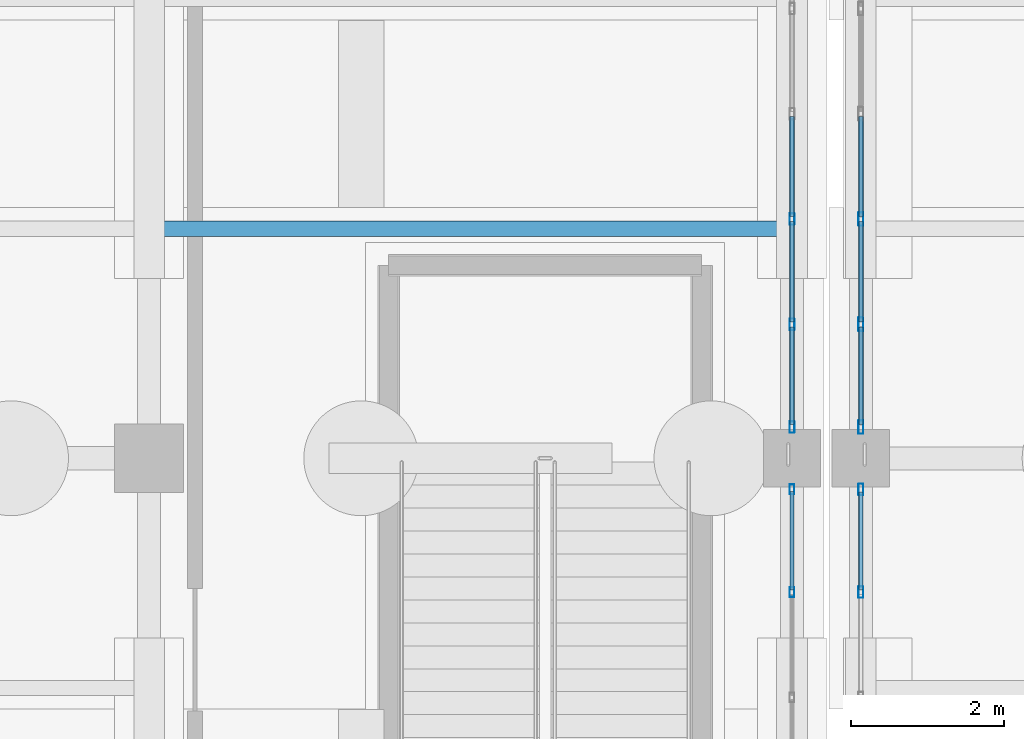
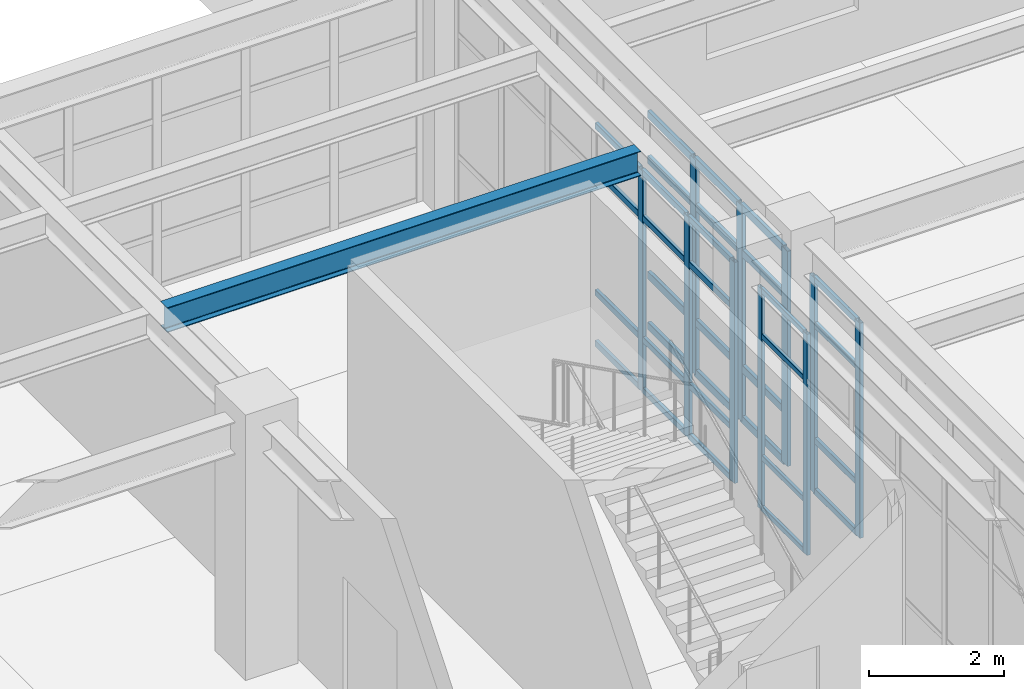
# One storey, part 79 of 139: 42 members, 1 beam, 4 elements without a shape of their own.
"""IFC4 building model written with IfcOpenShell, lengths in metres."""

import ifcopenshell
import ifcopenshell.guid

model = None  # the IFC model being written
_history = None  # IfcOwnerHistory: only IFC2X3 demands one
_inside = {}  # id of a spatial element -> (the spatial element, [elements in it])
_under = {}  # id of a project, library or spatial element -> (it, [spatial elements below it])
_declared = {}  # id of a project -> (the project, [libraries it declares])
_typed = {}  # id of a type object -> (the type object, [elements of that type])
_made_of = {}  # id of a material, layer set ... -> (it, [elements and type objects made of it])


def new_model(schema):
    """Start an empty IFC model of exactly this schema.

    Asked for "IFC4X3", IfcOpenShell would pick the latest addendum, in which some entities
    have other attributes; the version numbers below select the first issue.
    IFC2X3 requires an IfcOwnerHistory on every rooted entity: one is made here for all.
    """
    global model, _history
    if schema == "IFC4X3":
        model = ifcopenshell.file(schema_version=(4, 3, 0, 0))
    else:
        model = ifcopenshell.file(schema=schema)
    _inside.clear()
    _under.clear()
    _declared.clear()
    _typed.clear()
    _made_of.clear()
    _history = None
    if model.schema == "IFC2X3":
        org = make("IfcOrganization", Name="unknown")
        user = make(
            "IfcPersonAndOrganization",
            ThePerson=make("IfcPerson", FamilyName="unknown"),
            TheOrganization=org,
        )
        app = make(
            "IfcApplication",
            ApplicationDeveloper=org,
            Version="unknown",
            ApplicationFullName="unknown",
            ApplicationIdentifier="unknown",
        )
        _history = make(
            "IfcOwnerHistory",
            OwningUser=user,
            OwningApplication=app,
            ChangeAction="ADDED",
            CreationDate=0,
        )
    return model


def make(cls, **values):
    """One entity of the class cls with the attributes given. An attribute that is None is left unset."""
    return model.create_entity(
        cls, **{name: value for name, value in values.items() if value is not None}
    )


def rooted(cls, **values):
    """An entity with a GlobalId (a new one), such as an element, a storey or a relation."""
    return make(cls, GlobalId=ifcopenshell.guid.new(), OwnerHistory=_history, **values)


def si_unit(unit_type, name, prefix=None):
    """IfcSIUnit, for example si_unit("LENGTHUNIT", "METRE", prefix="MILLI")."""
    return make("IfcSIUnit", UnitType=unit_type, Prefix=prefix, Name=name)


def assignment(units):
    """IfcUnitAssignment: the units of a project."""
    return None if units is None else make("IfcUnitAssignment", Units=units)


def point(xyz):
    """IfcCartesianPoint."""
    return None if xyz is None else make("IfcCartesianPoint", Coordinates=xyz)


def direction(xyz):
    """IfcDirection."""
    return None if xyz is None else make("IfcDirection", DirectionRatios=xyz)


def frame(location, z_axis=None, x_axis=None):
    """IfcAxis2Placement3D, a coordinate frame: its origin and axes. An axis left out is left unset."""
    return make(
        "IfcAxis2Placement3D",
        Location=point(location),
        Axis=direction(z_axis),
        RefDirection=direction(x_axis),
    )


def frame_2d(location, x_axis=None):
    """IfcAxis2Placement2D, a coordinate frame in the plane: its origin and x axis."""
    return make(
        "IfcAxis2Placement2D", Location=point(location), RefDirection=direction(x_axis)
    )


def origin():
    """The frame at (0, 0, 0) with its axes left unset."""
    return frame((0.0, 0.0, 0.0))


def origin_2d():
    """The frame at (0, 0) in the plane with its x axis left unset."""
    return frame_2d((0.0, 0.0))


def place(relative_to, where):
    """IfcLocalPlacement: puts the frame where relative to a parent placement (None: the world)."""
    return make(
        "IfcLocalPlacement", PlacementRelTo=relative_to, RelativePlacement=where
    )


def context(
    kind, dimensions, precision=None, world=None, true_north=None, identifier=None
):
    """IfcGeometricRepresentationContext, for example the 3D "Model" context."""
    return make(
        "IfcGeometricRepresentationContext",
        ContextIdentifier=identifier,
        ContextType=kind,
        CoordinateSpaceDimension=dimensions,
        Precision=precision,
        WorldCoordinateSystem=world,
        TrueNorth=true_north,
    )


def subcontext(parent, identifier, kind, view, scale=None):
    """IfcGeometricRepresentationSubContext, for example "Body" below "Model"."""
    return make(
        "IfcGeometricRepresentationSubContext",
        ContextIdentifier=identifier,
        ContextType=kind,
        ParentContext=parent,
        TargetScale=scale,
        TargetView=view,
    )


def project(units=None, contexts=None):
    """IfcProject with its units and contexts."""
    return rooted(
        "IfcProject",
        Name="project",
        RepresentationContexts=contexts,
        UnitsInContext=assignment(units),
    )


def spatial(cls, under=None, at=None, **own):
    """A site, building, storey or space (cls), placed at a placement, below another one or the project."""
    s = rooted(cls, ObjectPlacement=at, **own)
    if under is not None:
        _under.setdefault(under.id(), (under, []))[1].append(s)
    return s


def profile(cls, at=None, kind="AREA", **sizes):
    """A parametric profile (cls). Its sizes go by their IFC names, for example OverallWidth=200.0."""
    return make(cls, ProfileType=kind, Position=at, **sizes)


def hollow_rectangle(**sizes):
    """IfcRectangleHollowProfileDef."""
    return profile("IfcRectangleHollowProfileDef", **sizes)


def i_section(**sizes):
    """IfcIShapeProfileDef."""
    return profile("IfcIShapeProfileDef", **sizes)


def extrude(swept, where, along, depth):
    """IfcExtrudedAreaSolid: the profile swept, set in the frame where, extruded along a direction by depth."""
    return make(
        "IfcExtrudedAreaSolid",
        SweptArea=swept,
        Position=where,
        ExtrudedDirection=direction(along),
        Depth=depth,
    )


def shape(context_of_items, identifier, shape_type, items):
    """IfcShapeRepresentation: the items that make up one representation, for example the "Body"."""
    return make(
        "IfcShapeRepresentation",
        ContextOfItems=context_of_items,
        RepresentationIdentifier=identifier,
        RepresentationType=shape_type,
        Items=items,
    )


def material(Name=None, Category=None):
    """IfcMaterial."""
    return make("IfcMaterial", Name=Name, Category=Category)


def material_profile(
    of_material, cross_section, Name=None, Category=None, Priority=None
):
    """IfcMaterialProfile: a cross section and its material."""
    return make(
        "IfcMaterialProfile",
        Name=Name,
        Material=of_material,
        Profile=cross_section,
        Priority=Priority,
        Category=Category,
    )


def profile_set(profiles, Name=None, composite=None):
    """IfcMaterialProfileSet."""
    return make(
        "IfcMaterialProfileSet",
        Name=Name,
        MaterialProfiles=profiles,
        CompositeProfile=composite,
    )


def made_of(thing, what):
    """Note that an element or type object is made of a material, layer set ...; save() writes the relation."""
    if what is not None:
        _made_of.setdefault(what.id(), (what, []))[1].append(thing)
    return thing


def type_object(cls, material=None, **own):
    """A type object (cls), such as IfcWallType, which elements share."""
    return made_of(rooted(cls, **own), material)


def element(
    cls,
    number,
    at=None,
    inside=None,
    cuts=None,
    type_object=None,
    material=None,
    context=None,
    identifier="Body",
    shape_type=None,
    held_by="IfcProductDefinitionShape",
    body=None,
    shapes=None,
    **own,
):
    """One element of the class cls, such as IfcWall. Its Tag is "e" and its number.

    at: its placement. inside: the storey or other place that contains it. cuts: it is an
    opening in that element (IfcRelVoidsElement). A single representation is given by context,
    identifier, shape_type and body (its items); several are given by shapes. held_by: the class
    of the entity that holds the representations. save() writes the other relations.
    """
    e = rooted(cls, Tag="e%d" % number, ObjectPlacement=at, **own)
    if body is not None:
        shapes = [shape(context, identifier, shape_type, body)]
    if shapes is not None:
        e.Representation = make(held_by, Representations=shapes)
    if inside is not None:
        _inside.setdefault(inside.id(), (inside, []))[1].append(e)
    if cuts is not None:
        rooted(
            "IfcRelVoidsElement", RelatingBuildingElement=cuts, RelatedOpeningElement=e
        )
    if type_object is not None:
        _typed.setdefault(type_object.id(), (type_object, []))[1].append(e)
    return made_of(e, material)


def aggregate(whole, parts):
    """IfcRelAggregates: a whole, such as a stair, and the parts it consists of."""
    return rooted("IfcRelAggregates", RelatingObject=whole, RelatedObjects=parts)


def save(model, path):
    """Write the relations noted so far, then the file.

    IfcRelAggregates (storeys below a building ...), IfcRelContainedInSpatialStructure (elements
    in a storey), IfcRelDefinesByType, IfcRelAssociatesMaterial and IfcRelDeclares: one each for
    every whole, place, type object, material and project.
    """
    for whole, parts in _under.values():
        aggregate(whole, parts)
    for where, things in _inside.values():
        rooted(
            "IfcRelContainedInSpatialStructure",
            RelatedElements=things,
            RelatingStructure=where,
        )
    for kind, things in _typed.values():
        rooted("IfcRelDefinesByType", RelatedObjects=things, RelatingType=kind)
    for what, things in _made_of.values():
        rooted("IfcRelAssociatesMaterial", RelatedObjects=things, RelatingMaterial=what)
    for by, libraries in _declared.values():
        rooted("IfcRelDeclares", RelatingContext=by, RelatedDefinitions=libraries)
    model.write(path)


model = new_model("IFC4")

# Units and contexts
model_context = context("Model", 3, precision=1e-05, world=origin(), true_north=direction((0.0, 1.0)))
body_context = subcontext(model_context, "Body", "Model", "MODEL_VIEW")
ifc_project = project(units=[si_unit("LENGTHUNIT", "METRE"), si_unit("AREAUNIT", "SQUARE_METRE"), si_unit("VOLUMEUNIT", "CUBIC_METRE"), si_unit("PLANEANGLEUNIT", "RADIAN"), si_unit("MASSUNIT", "GRAM", prefix="KILO")], contexts=[model_context])

# Site, building, storey
site_placement = place(None, origin())
site = spatial("IfcSite", under=ifc_project, at=site_placement, CompositionType="ELEMENT")
building_placement = place(site_placement, origin())
building = spatial("IfcBuilding", under=site, at=building_placement, Name="Canglan Escarpment Cableway Terminal", CompositionType="ELEMENT")
storey_placement = place(building_placement, frame((0.0, 0.0, 14.39990234375)))
storey = spatial("IfcBuildingStorey", under=building, at=storey_placement, Name="L03", CompositionType="ELEMENT", Elevation=14.39990234375)

# Curtain wall, members
ifc_material_1 = material(Name="Anodized bronze aluminium and Low-E double glazing", Category="aluminium")
curtain_wall_type_1 = type_object("IfcCurtainWallType", Name="CW-BAY-8250x4000", PredefinedType="NOTDEFINED", material=ifc_material_1)
curtain_wall_1_placement = place(storey_placement, origin())
curtain_wall_1 = element("IfcCurtainWall", 1, at=curtain_wall_1_placement, inside=storey, type_object=curtain_wall_type_1, Name="Classical bay-between-piers glazed curtain wall CW-48", PredefinedType="NOTDEFINED")
ifc_material_2 = material(Name="Thermally broken anodized aluminium 6063-T6", Category="aluminium")
ifc_material_profile_1 = material_profile(ifc_material_2, hollow_rectangle(XDim=0.06005859375, YDim=0.1298828125, WallThickness=0.0029296875, InnerFilletRadius=0.0029296875, OuterFilletRadius=0.006103515625, at=origin_2d()), Name="ALU-MULL 60x130x3")
ifc_profile_set_1 = profile_set([ifc_material_profile_1], Name="Thermally broken anodized aluminium 6063-T6")
member_type_1 = type_object("IfcMemberType", Name="CWM-01", PredefinedType="MULLION", material=ifc_profile_set_1)
member_1_placement = place(storey_placement, frame((136.699951171875, 104.25, 0.0), z_axis=(0.0, 0.0, 1.0), x_axis=(-1.0, 0.0, 0.0)))
member_1 = element("IfcMember", 2, at=member_1_placement, type_object=member_type_1, Name="CW-48 mullion 6", PredefinedType="MULLION", context=body_context, shape_type="SweptSolid", body=[
    extrude(hollow_rectangle(XDim=0.06005859375, YDim=0.1298828125, WallThickness=0.0029296875, InnerFilletRadius=0.0029296875, OuterFilletRadius=0.006103515625, at=origin_2d()), origin(), (0.0, 0.0, 1.0), 3.9970703125),
])
member_2_placement = place(storey_placement, frame((136.699951171875, 105.594970703125, 0.0), z_axis=(0.0, 0.0, 1.0), x_axis=(-1.0, 0.0, 0.0)))
member_2 = element("IfcMember", 3, at=member_2_placement, type_object=member_type_1, Name="CW-48 mullion 7", PredefinedType="MULLION", context=body_context, shape_type="SweptSolid", body=[
    extrude(hollow_rectangle(XDim=0.06005859375, YDim=0.1298828125, WallThickness=0.0029296875, InnerFilletRadius=0.0029296875, OuterFilletRadius=0.006103515625, at=origin_2d()), origin(), (0.0, 0.0, 1.0), 3.9970703125),
])

curtain_wall_2_placement = place(storey_placement, origin())
curtain_wall_2 = element("IfcCurtainWall", 4, at=curtain_wall_2_placement, inside=storey, type_object=curtain_wall_type_1, Name="Classical bay-between-piers glazed curtain wall CW-48", PredefinedType="NOTDEFINED")
ifc_material_profile_2 = material_profile(ifc_material_2, hollow_rectangle(XDim=0.06494140625, YDim=0.14990234375, WallThickness=0.00341796875, InnerFilletRadius=0.00341796875, OuterFilletRadius=0.007080078125, at=origin_2d()), Name="ALU-MULL 65x150x3.5")
ifc_profile_set_2 = profile_set([ifc_material_profile_2], Name="Thermally broken anodized aluminium 6063-T6")
member_type_2 = type_object("IfcMemberType", Name="CWM-02", PredefinedType="MULLION", material=ifc_profile_set_2)
member_3_placement = place(storey_placement, frame((136.699951171875, 106.407470703125, 0.0), z_axis=(0.0, 0.0, 1.0), x_axis=(-1.0, 0.0, 0.0)))
member_3 = element("IfcMember", 5, at=member_3_placement, type_object=member_type_2, Name="CW-48 mullion 1", PredefinedType="MULLION", context=body_context, shape_type="SweptSolid", body=[
    extrude(hollow_rectangle(XDim=0.06494140625, YDim=0.14990234375, WallThickness=0.00341796875, InnerFilletRadius=0.00341796875, OuterFilletRadius=0.007080078125, at=origin_2d()), origin(), (0.0, 0.0, 1.0), 3.9970703125),
])
member_4_placement = place(storey_placement, frame((136.699951171875, 107.75, 0.0), z_axis=(0.0, 0.0, 1.0), x_axis=(-1.0, 0.0, 0.0)))
member_4 = element("IfcMember", 6, at=member_4_placement, type_object=member_type_2, Name="CW-48 mullion 2", PredefinedType="MULLION", context=body_context, shape_type="SweptSolid", body=[
    extrude(hollow_rectangle(XDim=0.06494140625, YDim=0.14990234375, WallThickness=0.00341796875, InnerFilletRadius=0.00341796875, OuterFilletRadius=0.007080078125, at=origin_2d()), origin(), (0.0, 0.0, 1.0), 3.9970703125),
])
member_5_placement = place(storey_placement, frame((136.699951171875, 109.125, 0.0), z_axis=(0.0, 0.0, 1.0), x_axis=(-1.0, 0.0, 0.0)))
member_5 = element("IfcMember", 7, at=member_5_placement, type_object=member_type_2, Name="CW-48 mullion 3", PredefinedType="MULLION", context=body_context, shape_type="SweptSolid", body=[
    extrude(hollow_rectangle(XDim=0.06494140625, YDim=0.14990234375, WallThickness=0.00341796875, InnerFilletRadius=0.00341796875, OuterFilletRadius=0.007080078125, at=origin_2d()), origin(), (0.0, 0.0, 1.0), 3.9970703125),
])

curtain_wall_type_2 = type_object("IfcCurtainWallType", Name="CW-BAY-8250x3900", PredefinedType="NOTDEFINED", material=ifc_material_1)
curtain_wall_3_placement = place(storey_placement, origin())
curtain_wall_3 = element("IfcCurtainWall", 8, at=curtain_wall_3_placement, inside=storey, type_object=curtain_wall_type_2, Name="Classical bay-between-piers glazed curtain wall CW-62", PredefinedType="NOTDEFINED")
member_6_placement = place(storey_placement, frame((137.60009765625, 105.592529296875, 0.0), z_axis=(0.0, 0.0, 1.0), x_axis=(1.0, 0.0, 0.0)))
member_6 = element("IfcMember", 9, at=member_6_placement, type_object=member_type_2, Name="CW-62 mullion 1", PredefinedType="MULLION", context=body_context, shape_type="SweptSolid", body=[
    extrude(hollow_rectangle(XDim=0.06494140625, YDim=0.14990234375, WallThickness=0.00341796875, InnerFilletRadius=0.00341796875, OuterFilletRadius=0.007080078125, at=origin_2d()), origin(), (0.0, 0.0, 1.0), 3.89111328125),
])
member_7_placement = place(storey_placement, frame((137.60009765625, 104.25, 0.0), z_axis=(0.0, 0.0, 1.0), x_axis=(1.0, 0.0, 0.0)))
member_7 = element("IfcMember", 10, at=member_7_placement, type_object=member_type_2, Name="CW-62 mullion 2", PredefinedType="MULLION", context=body_context, shape_type="SweptSolid", body=[
    extrude(hollow_rectangle(XDim=0.06494140625, YDim=0.14990234375, WallThickness=0.00341796875, InnerFilletRadius=0.00341796875, OuterFilletRadius=0.007080078125, at=origin_2d()), origin(), (0.0, 0.0, 1.0), 3.89111328125),
])

curtain_wall_4_placement = place(storey_placement, origin())
curtain_wall_4 = element("IfcCurtainWall", 11, at=curtain_wall_4_placement, inside=storey, type_object=curtain_wall_type_2, Name="Classical bay-between-piers glazed curtain wall CW-62", PredefinedType="NOTDEFINED")
ifc_material_profile_3 = material_profile(ifc_material_2, hollow_rectangle(XDim=0.06494140625, YDim=0.179931640625, WallThickness=0.00390625, InnerFilletRadius=0.00390625, OuterFilletRadius=0.008056640625, at=origin_2d()), Name="ALU-MULL 65x180x4")
ifc_profile_set_3 = profile_set([ifc_material_profile_3], Name="Thermally broken anodized aluminium 6063-T6")
member_type_3 = type_object("IfcMemberType", Name="CWM-03", PredefinedType="MULLION", material=ifc_profile_set_3)
member_8_placement = place(storey_placement, frame((137.60009765625, 109.125, 0.0), z_axis=(0.0, 0.0, 1.0), x_axis=(1.0, 0.0, 0.0)))
member_8 = element("IfcMember", 12, at=member_8_placement, type_object=member_type_3, Name="CW-62 mullion 5", PredefinedType="MULLION", context=body_context, shape_type="SweptSolid", body=[
    extrude(hollow_rectangle(XDim=0.06494140625, YDim=0.179931640625, WallThickness=0.00390625, InnerFilletRadius=0.00390625, OuterFilletRadius=0.008056640625, at=origin_2d()), origin(), (0.0, 0.0, 1.0), 3.89111328125),
])
member_9_placement = place(storey_placement, frame((137.60009765625, 107.75, 0.0), z_axis=(0.0, 0.0, 1.0), x_axis=(1.0, 0.0, 0.0)))
member_9 = element("IfcMember", 13, at=member_9_placement, type_object=member_type_3, Name="CW-62 mullion 6", PredefinedType="MULLION", context=body_context, shape_type="SweptSolid", body=[
    extrude(hollow_rectangle(XDim=0.06494140625, YDim=0.179931640625, WallThickness=0.00390625, InnerFilletRadius=0.00390625, OuterFilletRadius=0.008056640625, at=origin_2d()), origin(), (0.0, 0.0, 1.0), 3.89111328125),
])
member_10_placement = place(storey_placement, frame((137.60009765625, 106.407470703125, 0.0), z_axis=(0.0, 0.0, 1.0), x_axis=(1.0, 0.0, 0.0)))
member_10 = element("IfcMember", 14, at=member_10_placement, type_object=member_type_3, Name="CW-62 mullion 7", PredefinedType="MULLION", context=body_context, shape_type="SweptSolid", body=[
    extrude(hollow_rectangle(XDim=0.06494140625, YDim=0.179931640625, WallThickness=0.00390625, InnerFilletRadius=0.00390625, OuterFilletRadius=0.008056640625, at=origin_2d()), origin(), (0.0, 0.0, 1.0), 3.89111328125),
])

# Member
ifc_material_profile_4 = material_profile(ifc_material_2, hollow_rectangle(XDim=0.054931640625, YDim=0.094970703125, WallThickness=0.0029296875, InnerFilletRadius=0.0029296875, OuterFilletRadius=0.006103515625, at=origin_2d()), Name="ALU-TRAN 55x95x3")
ifc_profile_set_4 = profile_set([ifc_material_profile_4], Name="Thermally broken anodized aluminium 6063-T6")
member_type_4 = type_object("IfcMemberType", Name="CWT-01", PredefinedType="USERDEFINED", material=ifc_profile_set_4)
member_11_placement = place(storey_placement, frame((136.699951171875, 104.280029296875, 0.027587890625), z_axis=(0.0, 1.0, 0.0), x_axis=(-1.0, 0.0, 0.0)))
member_11 = element("IfcMember", 15, at=member_11_placement, type_object=member_type_4, Name="CW-48 transom 6.1", ObjectType="TRANSOM", PredefinedType="USERDEFINED", context=body_context, shape_type="SweptSolid", body=[
    extrude(hollow_rectangle(XDim=0.054931640625, YDim=0.094970703125, WallThickness=0.0029296875, InnerFilletRadius=0.0029296875, OuterFilletRadius=0.006103515625, at=origin_2d()), origin(), (0.0, 0.0, 1.0), 1.284912109375),
])

member_12_placement = place(storey_placement, frame((136.699951171875, 104.280029296875, 0.9501953125), z_axis=(0.0, 1.0, 0.0), x_axis=(-1.0, 0.0, 0.0)))
member_12 = element("IfcMember", 16, at=member_12_placement, type_object=member_type_4, Name="CW-48 transom 6.2", ObjectType="TRANSOM", PredefinedType="USERDEFINED", context=body_context, shape_type="SweptSolid", body=[
    extrude(hollow_rectangle(XDim=0.054931640625, YDim=0.094970703125, WallThickness=0.0029296875, InnerFilletRadius=0.0029296875, OuterFilletRadius=0.006103515625, at=origin_2d()), origin(), (0.0, 0.0, 1.0), 1.284912109375),
])

member_13_placement = place(storey_placement, frame((136.699951171875, 104.280029296875, 3.147216796875), z_axis=(0.0, 1.0, 0.0), x_axis=(-1.0, 0.0, 0.0)))
member_13 = element("IfcMember", 17, at=member_13_placement, type_object=member_type_4, Name="CW-48 transom 6.3", ObjectType="TRANSOM", PredefinedType="USERDEFINED", context=body_context, shape_type="SweptSolid", body=[
    extrude(hollow_rectangle(XDim=0.054931640625, YDim=0.094970703125, WallThickness=0.0029296875, InnerFilletRadius=0.0029296875, OuterFilletRadius=0.006103515625, at=origin_2d()), origin(), (0.0, 0.0, 1.0), 1.284912109375),
])

member_14_placement = place(storey_placement, frame((136.699951171875, 104.280029296875, 3.969482421875), z_axis=(0.0, 1.0, 0.0), x_axis=(-1.0, 0.0, 0.0)))
member_14 = element("IfcMember", 18, at=member_14_placement, type_object=member_type_4, Name="CW-48 transom 6.4", ObjectType="TRANSOM", PredefinedType="USERDEFINED", context=body_context, shape_type="SweptSolid", body=[
    extrude(hollow_rectangle(XDim=0.054931640625, YDim=0.094970703125, WallThickness=0.0029296875, InnerFilletRadius=0.0029296875, OuterFilletRadius=0.006103515625, at=origin_2d()), origin(), (0.0, 0.0, 1.0), 1.284912109375),
])

aggregate(curtain_wall_1, [member_1, member_2, member_11, member_12, member_13, member_14])

ifc_material_profile_5 = material_profile(ifc_material_2, hollow_rectangle(XDim=0.06005859375, YDim=0.110107421875, WallThickness=0.0029296875, InnerFilletRadius=0.0029296875, OuterFilletRadius=0.006103515625, at=origin_2d()), Name="ALU-TRAN 60x110x3")
ifc_profile_set_5 = profile_set([ifc_material_profile_5], Name="Thermally broken anodized aluminium 6063-T6")
member_type_5 = type_object("IfcMemberType", Name="CWT-02", PredefinedType="USERDEFINED", material=ifc_profile_set_5)
member_15_placement = place(storey_placement, frame((136.699951171875, 106.43994140625, 0.030029296875), z_axis=(0.0, 1.0, 0.0), x_axis=(-1.0, 0.0, 0.0)))
member_15 = element("IfcMember", 19, at=member_15_placement, type_object=member_type_5, Name="CW-48 transom 1.1", ObjectType="TRANSOM", PredefinedType="USERDEFINED", context=body_context, shape_type="SweptSolid", body=[
    extrude(hollow_rectangle(XDim=0.06005859375, YDim=0.110107421875, WallThickness=0.0029296875, InnerFilletRadius=0.0029296875, OuterFilletRadius=0.006103515625, at=origin_2d()), origin(), (0.0, 0.0, 1.0), 1.277587890625),
])

member_16_placement = place(storey_placement, frame((136.699951171875, 106.43994140625, 0.9501953125), z_axis=(0.0, 1.0, 0.0), x_axis=(-1.0, 0.0, 0.0)))
member_16 = element("IfcMember", 20, at=member_16_placement, type_object=member_type_5, Name="CW-48 transom 1.2", ObjectType="TRANSOM", PredefinedType="USERDEFINED", context=body_context, shape_type="SweptSolid", body=[
    extrude(hollow_rectangle(XDim=0.06005859375, YDim=0.110107421875, WallThickness=0.0029296875, InnerFilletRadius=0.0029296875, OuterFilletRadius=0.006103515625, at=origin_2d()), origin(), (0.0, 0.0, 1.0), 1.277587890625),
])

member_17_placement = place(storey_placement, frame((136.699951171875, 106.43994140625, 3.147216796875), z_axis=(0.0, 1.0, 0.0), x_axis=(-1.0, 0.0, 0.0)))
member_17 = element("IfcMember", 21, at=member_17_placement, type_object=member_type_5, Name="CW-48 transom 1.3", ObjectType="TRANSOM", PredefinedType="USERDEFINED", context=body_context, shape_type="SweptSolid", body=[
    extrude(hollow_rectangle(XDim=0.06005859375, YDim=0.110107421875, WallThickness=0.0029296875, InnerFilletRadius=0.0029296875, OuterFilletRadius=0.006103515625, at=origin_2d()), origin(), (0.0, 0.0, 1.0), 1.277587890625),
])

member_18_placement = place(storey_placement, frame((136.699951171875, 106.43994140625, 3.967041015625), z_axis=(0.0, 1.0, 0.0), x_axis=(-1.0, 0.0, 0.0)))
member_18 = element("IfcMember", 22, at=member_18_placement, type_object=member_type_5, Name="CW-48 transom 1.4", ObjectType="TRANSOM", PredefinedType="USERDEFINED", context=body_context, shape_type="SweptSolid", body=[
    extrude(hollow_rectangle(XDim=0.06005859375, YDim=0.110107421875, WallThickness=0.0029296875, InnerFilletRadius=0.0029296875, OuterFilletRadius=0.006103515625, at=origin_2d()), origin(), (0.0, 0.0, 1.0), 1.277587890625),
])

member_19_placement = place(storey_placement, frame((136.699951171875, 107.782470703125, 0.030029296875), z_axis=(0.0, 1.0, 0.0), x_axis=(-1.0, 0.0, 0.0)))
member_19 = element("IfcMember", 23, at=member_19_placement, type_object=member_type_5, Name="CW-48 transom 2.1", ObjectType="TRANSOM", PredefinedType="USERDEFINED", context=body_context, shape_type="SweptSolid", body=[
    extrude(hollow_rectangle(XDim=0.06005859375, YDim=0.110107421875, WallThickness=0.0029296875, InnerFilletRadius=0.0029296875, OuterFilletRadius=0.006103515625, at=origin_2d()), origin(), (0.0, 0.0, 1.0), 1.31005859375),
])

member_20_placement = place(storey_placement, frame((136.699951171875, 107.782470703125, 0.9501953125), z_axis=(0.0, 1.0, 0.0), x_axis=(-1.0, 0.0, 0.0)))
member_20 = element("IfcMember", 24, at=member_20_placement, type_object=member_type_5, Name="CW-48 transom 2.2", ObjectType="TRANSOM", PredefinedType="USERDEFINED", context=body_context, shape_type="SweptSolid", body=[
    extrude(hollow_rectangle(XDim=0.06005859375, YDim=0.110107421875, WallThickness=0.0029296875, InnerFilletRadius=0.0029296875, OuterFilletRadius=0.006103515625, at=origin_2d()), origin(), (0.0, 0.0, 1.0), 1.31005859375),
])

member_21_placement = place(storey_placement, frame((136.699951171875, 107.782470703125, 3.147216796875), z_axis=(0.0, 1.0, 0.0), x_axis=(-1.0, 0.0, 0.0)))
member_21 = element("IfcMember", 25, at=member_21_placement, type_object=member_type_5, Name="CW-48 transom 2.3", ObjectType="TRANSOM", PredefinedType="USERDEFINED", context=body_context, shape_type="SweptSolid", body=[
    extrude(hollow_rectangle(XDim=0.06005859375, YDim=0.110107421875, WallThickness=0.0029296875, InnerFilletRadius=0.0029296875, OuterFilletRadius=0.006103515625, at=origin_2d()), origin(), (0.0, 0.0, 1.0), 1.31005859375),
])

member_22_placement = place(storey_placement, frame((136.699951171875, 107.782470703125, 3.967041015625), z_axis=(0.0, 1.0, 0.0), x_axis=(-1.0, 0.0, 0.0)))
member_22 = element("IfcMember", 26, at=member_22_placement, type_object=member_type_5, Name="CW-48 transom 2.4", ObjectType="TRANSOM", PredefinedType="USERDEFINED", context=body_context, shape_type="SweptSolid", body=[
    extrude(hollow_rectangle(XDim=0.06005859375, YDim=0.110107421875, WallThickness=0.0029296875, InnerFilletRadius=0.0029296875, OuterFilletRadius=0.006103515625, at=origin_2d()), origin(), (0.0, 0.0, 1.0), 1.31005859375),
])

member_23_placement = place(storey_placement, frame((136.699951171875, 109.157470703125, 0.030029296875), z_axis=(0.0, 1.0, 0.0), x_axis=(-1.0, 0.0, 0.0)))
member_23 = element("IfcMember", 27, at=member_23_placement, type_object=member_type_5, Name="CW-48 transom 3.1", ObjectType="TRANSOM", PredefinedType="USERDEFINED", context=body_context, shape_type="SweptSolid", body=[
    extrude(hollow_rectangle(XDim=0.06005859375, YDim=0.110107421875, WallThickness=0.0029296875, InnerFilletRadius=0.0029296875, OuterFilletRadius=0.006103515625, at=origin_2d()), origin(), (0.0, 0.0, 1.0), 1.31005859375),
])

member_24_placement = place(storey_placement, frame((136.699951171875, 109.157470703125, 0.9501953125), z_axis=(0.0, 1.0, 0.0), x_axis=(-1.0, 0.0, 0.0)))
member_24 = element("IfcMember", 28, at=member_24_placement, type_object=member_type_5, Name="CW-48 transom 3.2", ObjectType="TRANSOM", PredefinedType="USERDEFINED", context=body_context, shape_type="SweptSolid", body=[
    extrude(hollow_rectangle(XDim=0.06005859375, YDim=0.110107421875, WallThickness=0.0029296875, InnerFilletRadius=0.0029296875, OuterFilletRadius=0.006103515625, at=origin_2d()), origin(), (0.0, 0.0, 1.0), 1.31005859375),
])

member_25_placement = place(storey_placement, frame((136.699951171875, 109.157470703125, 3.147216796875), z_axis=(0.0, 1.0, 0.0), x_axis=(-1.0, 0.0, 0.0)))
member_25 = element("IfcMember", 29, at=member_25_placement, type_object=member_type_5, Name="CW-48 transom 3.3", ObjectType="TRANSOM", PredefinedType="USERDEFINED", context=body_context, shape_type="SweptSolid", body=[
    extrude(hollow_rectangle(XDim=0.06005859375, YDim=0.110107421875, WallThickness=0.0029296875, InnerFilletRadius=0.0029296875, OuterFilletRadius=0.006103515625, at=origin_2d()), origin(), (0.0, 0.0, 1.0), 1.31005859375),
])

member_26_placement = place(storey_placement, frame((136.699951171875, 109.157470703125, 3.967041015625), z_axis=(0.0, 1.0, 0.0), x_axis=(-1.0, 0.0, 0.0)))
member_26 = element("IfcMember", 30, at=member_26_placement, type_object=member_type_5, Name="CW-48 transom 3.4", ObjectType="TRANSOM", PredefinedType="USERDEFINED", context=body_context, shape_type="SweptSolid", body=[
    extrude(hollow_rectangle(XDim=0.06005859375, YDim=0.110107421875, WallThickness=0.0029296875, InnerFilletRadius=0.0029296875, OuterFilletRadius=0.006103515625, at=origin_2d()), origin(), (0.0, 0.0, 1.0), 1.31005859375),
])

aggregate(curtain_wall_2, [member_3, member_4, member_5, member_15, member_16, member_17, member_18, member_19, member_20, member_21, member_22, member_23, member_24, member_25, member_26])

member_27_placement = place(storey_placement, frame((137.60009765625, 105.56005859375, 0.030029296875), z_axis=(0.0, -1.0, 0.0), x_axis=(1.0, 0.0, 0.0)))
member_27 = element("IfcMember", 31, at=member_27_placement, type_object=member_type_5, Name="CW-62 transom 1.1", ObjectType="TRANSOM", PredefinedType="USERDEFINED", context=body_context, shape_type="SweptSolid", body=[
    extrude(hollow_rectangle(XDim=0.06005859375, YDim=0.110107421875, WallThickness=0.0029296875, InnerFilletRadius=0.0029296875, OuterFilletRadius=0.006103515625, at=origin_2d()), origin(), (0.0, 0.0, 1.0), 1.277587890625),
])

member_28_placement = place(storey_placement, frame((137.60009765625, 105.56005859375, 0.9501953125), z_axis=(0.0, -1.0, 0.0), x_axis=(1.0, 0.0, 0.0)))
member_28 = element("IfcMember", 32, at=member_28_placement, type_object=member_type_5, Name="CW-62 transom 1.2", ObjectType="TRANSOM", PredefinedType="USERDEFINED", context=body_context, shape_type="SweptSolid", body=[
    extrude(hollow_rectangle(XDim=0.06005859375, YDim=0.110107421875, WallThickness=0.0029296875, InnerFilletRadius=0.0029296875, OuterFilletRadius=0.006103515625, at=origin_2d()), origin(), (0.0, 0.0, 1.0), 1.277587890625),
])

member_29_placement = place(storey_placement, frame((137.60009765625, 105.56005859375, 3.041015625), z_axis=(0.0, -1.0, 0.0), x_axis=(1.0, 0.0, 0.0)))
member_29 = element("IfcMember", 33, at=member_29_placement, type_object=member_type_5, Name="CW-62 transom 1.3", ObjectType="TRANSOM", PredefinedType="USERDEFINED", context=body_context, shape_type="SweptSolid", body=[
    extrude(hollow_rectangle(XDim=0.06005859375, YDim=0.110107421875, WallThickness=0.0029296875, InnerFilletRadius=0.0029296875, OuterFilletRadius=0.006103515625, at=origin_2d()), origin(), (0.0, 0.0, 1.0), 1.277587890625),
])

member_30_placement = place(storey_placement, frame((137.60009765625, 105.56005859375, 3.861083984375), z_axis=(0.0, -1.0, 0.0), x_axis=(1.0, 0.0, 0.0)))
member_30 = element("IfcMember", 34, at=member_30_placement, type_object=member_type_5, Name="CW-62 transom 1.4", ObjectType="TRANSOM", PredefinedType="USERDEFINED", context=body_context, shape_type="SweptSolid", body=[
    extrude(hollow_rectangle(XDim=0.06005859375, YDim=0.110107421875, WallThickness=0.0029296875, InnerFilletRadius=0.0029296875, OuterFilletRadius=0.006103515625, at=origin_2d()), origin(), (0.0, 0.0, 1.0), 1.277587890625),
])

aggregate(curtain_wall_3, [member_6, member_7, member_27, member_28, member_29, member_30])

ifc_material_profile_6 = material_profile(ifc_material_2, hollow_rectangle(XDim=0.06494140625, YDim=0.139892578125, WallThickness=0.00341796875, InnerFilletRadius=0.00341796875, OuterFilletRadius=0.007080078125, at=origin_2d()), Name="ALU-TRAN 65x140x3.5")
ifc_profile_set_6 = profile_set([ifc_material_profile_6], Name="Thermally broken anodized aluminium 6063-T6")
member_type_6 = type_object("IfcMemberType", Name="CWT-03", PredefinedType="USERDEFINED", material=ifc_profile_set_6)
member_31_placement = place(storey_placement, frame((137.60009765625, 110.467529296875, 0.03271484375), z_axis=(0.0, -1.0, 0.0), x_axis=(1.0, 0.0, 0.0)))
member_31 = element("IfcMember", 35, at=member_31_placement, type_object=member_type_6, Name="CW-62 transom 4.1", ObjectType="TRANSOM", PredefinedType="USERDEFINED", context=body_context, shape_type="SweptSolid", body=[
    extrude(hollow_rectangle(XDim=0.06494140625, YDim=0.139892578125, WallThickness=0.00341796875, InnerFilletRadius=0.00341796875, OuterFilletRadius=0.007080078125, at=origin_2d()), origin(), (0.0, 0.0, 1.0), 1.31005859375),
])

member_32_placement = place(storey_placement, frame((137.60009765625, 110.467529296875, 0.9501953125), z_axis=(0.0, -1.0, 0.0), x_axis=(1.0, 0.0, 0.0)))
member_32 = element("IfcMember", 36, at=member_32_placement, type_object=member_type_6, Name="CW-62 transom 4.2", ObjectType="TRANSOM", PredefinedType="USERDEFINED", context=body_context, shape_type="SweptSolid", body=[
    extrude(hollow_rectangle(XDim=0.06494140625, YDim=0.139892578125, WallThickness=0.00341796875, InnerFilletRadius=0.00341796875, OuterFilletRadius=0.007080078125, at=origin_2d()), origin(), (0.0, 0.0, 1.0), 1.31005859375),
])

member_33_placement = place(storey_placement, frame((137.60009765625, 110.467529296875, 3.041015625), z_axis=(0.0, -1.0, 0.0), x_axis=(1.0, 0.0, 0.0)))
member_33 = element("IfcMember", 37, at=member_33_placement, type_object=member_type_6, Name="CW-62 transom 4.3", ObjectType="TRANSOM", PredefinedType="USERDEFINED", context=body_context, shape_type="SweptSolid", body=[
    extrude(hollow_rectangle(XDim=0.06494140625, YDim=0.139892578125, WallThickness=0.00341796875, InnerFilletRadius=0.00341796875, OuterFilletRadius=0.007080078125, at=origin_2d()), origin(), (0.0, 0.0, 1.0), 1.31005859375),
])

member_34_placement = place(storey_placement, frame((137.60009765625, 110.467529296875, 3.858642578125), z_axis=(0.0, -1.0, 0.0), x_axis=(1.0, 0.0, 0.0)))
member_34 = element("IfcMember", 38, at=member_34_placement, type_object=member_type_6, Name="CW-62 transom 4.4", ObjectType="TRANSOM", PredefinedType="USERDEFINED", context=body_context, shape_type="SweptSolid", body=[
    extrude(hollow_rectangle(XDim=0.06494140625, YDim=0.139892578125, WallThickness=0.00341796875, InnerFilletRadius=0.00341796875, OuterFilletRadius=0.007080078125, at=origin_2d()), origin(), (0.0, 0.0, 1.0), 1.31005859375),
])

member_35_placement = place(storey_placement, frame((137.60009765625, 109.092529296875, 0.03271484375), z_axis=(0.0, -1.0, 0.0), x_axis=(1.0, 0.0, 0.0)))
member_35 = element("IfcMember", 39, at=member_35_placement, type_object=member_type_6, Name="CW-62 transom 5.1", ObjectType="TRANSOM", PredefinedType="USERDEFINED", context=body_context, shape_type="SweptSolid", body=[
    extrude(hollow_rectangle(XDim=0.06494140625, YDim=0.139892578125, WallThickness=0.00341796875, InnerFilletRadius=0.00341796875, OuterFilletRadius=0.007080078125, at=origin_2d()), origin(), (0.0, 0.0, 1.0), 1.31005859375),
])

member_36_placement = place(storey_placement, frame((137.60009765625, 109.092529296875, 0.9501953125), z_axis=(0.0, -1.0, 0.0), x_axis=(1.0, 0.0, 0.0)))
member_36 = element("IfcMember", 40, at=member_36_placement, type_object=member_type_6, Name="CW-62 transom 5.2", ObjectType="TRANSOM", PredefinedType="USERDEFINED", context=body_context, shape_type="SweptSolid", body=[
    extrude(hollow_rectangle(XDim=0.06494140625, YDim=0.139892578125, WallThickness=0.00341796875, InnerFilletRadius=0.00341796875, OuterFilletRadius=0.007080078125, at=origin_2d()), origin(), (0.0, 0.0, 1.0), 1.31005859375),
])

member_37_placement = place(storey_placement, frame((137.60009765625, 109.092529296875, 3.041015625), z_axis=(0.0, -1.0, 0.0), x_axis=(1.0, 0.0, 0.0)))
member_37 = element("IfcMember", 41, at=member_37_placement, type_object=member_type_6, Name="CW-62 transom 5.3", ObjectType="TRANSOM", PredefinedType="USERDEFINED", context=body_context, shape_type="SweptSolid", body=[
    extrude(hollow_rectangle(XDim=0.06494140625, YDim=0.139892578125, WallThickness=0.00341796875, InnerFilletRadius=0.00341796875, OuterFilletRadius=0.007080078125, at=origin_2d()), origin(), (0.0, 0.0, 1.0), 1.31005859375),
])

member_38_placement = place(storey_placement, frame((137.60009765625, 109.092529296875, 3.858642578125), z_axis=(0.0, -1.0, 0.0), x_axis=(1.0, 0.0, 0.0)))
member_38 = element("IfcMember", 42, at=member_38_placement, type_object=member_type_6, Name="CW-62 transom 5.4", ObjectType="TRANSOM", PredefinedType="USERDEFINED", context=body_context, shape_type="SweptSolid", body=[
    extrude(hollow_rectangle(XDim=0.06494140625, YDim=0.139892578125, WallThickness=0.00341796875, InnerFilletRadius=0.00341796875, OuterFilletRadius=0.007080078125, at=origin_2d()), origin(), (0.0, 0.0, 1.0), 1.31005859375),
])

member_39_placement = place(storey_placement, frame((137.60009765625, 107.717529296875, 0.03271484375), z_axis=(0.0, -1.0, 0.0), x_axis=(1.0, 0.0, 0.0)))
member_39 = element("IfcMember", 43, at=member_39_placement, type_object=member_type_6, Name="CW-62 transom 6.1", ObjectType="TRANSOM", PredefinedType="USERDEFINED", context=body_context, shape_type="SweptSolid", body=[
    extrude(hollow_rectangle(XDim=0.06494140625, YDim=0.139892578125, WallThickness=0.00341796875, InnerFilletRadius=0.00341796875, OuterFilletRadius=0.007080078125, at=origin_2d()), origin(), (0.0, 0.0, 1.0), 1.277587890625),
])

member_40_placement = place(storey_placement, frame((137.60009765625, 107.717529296875, 0.9501953125), z_axis=(0.0, -1.0, 0.0), x_axis=(1.0, 0.0, 0.0)))
member_40 = element("IfcMember", 44, at=member_40_placement, type_object=member_type_6, Name="CW-62 transom 6.2", ObjectType="TRANSOM", PredefinedType="USERDEFINED", context=body_context, shape_type="SweptSolid", body=[
    extrude(hollow_rectangle(XDim=0.06494140625, YDim=0.139892578125, WallThickness=0.00341796875, InnerFilletRadius=0.00341796875, OuterFilletRadius=0.007080078125, at=origin_2d()), origin(), (0.0, 0.0, 1.0), 1.277587890625),
])

member_41_placement = place(storey_placement, frame((137.60009765625, 107.717529296875, 3.041015625), z_axis=(0.0, -1.0, 0.0), x_axis=(1.0, 0.0, 0.0)))
member_41 = element("IfcMember", 45, at=member_41_placement, type_object=member_type_6, Name="CW-62 transom 6.3", ObjectType="TRANSOM", PredefinedType="USERDEFINED", context=body_context, shape_type="SweptSolid", body=[
    extrude(hollow_rectangle(XDim=0.06494140625, YDim=0.139892578125, WallThickness=0.00341796875, InnerFilletRadius=0.00341796875, OuterFilletRadius=0.007080078125, at=origin_2d()), origin(), (0.0, 0.0, 1.0), 1.277587890625),
])

member_42_placement = place(storey_placement, frame((137.60009765625, 107.717529296875, 3.858642578125), z_axis=(0.0, -1.0, 0.0), x_axis=(1.0, 0.0, 0.0)))
member_42 = element("IfcMember", 46, at=member_42_placement, type_object=member_type_6, Name="CW-62 transom 6.4", ObjectType="TRANSOM", PredefinedType="USERDEFINED", context=body_context, shape_type="SweptSolid", body=[
    extrude(hollow_rectangle(XDim=0.06494140625, YDim=0.139892578125, WallThickness=0.00341796875, InnerFilletRadius=0.00341796875, OuterFilletRadius=0.007080078125, at=origin_2d()), origin(), (0.0, 0.0, 1.0), 1.277587890625),
])

aggregate(curtain_wall_4, [member_8, member_9, member_10, member_31, member_32, member_33, member_34, member_35, member_36, member_37, member_38, member_39, member_40, member_41, member_42])

# Beam
ifc_material_3 = material(Name="Steel Q355B", Category="steel")
ifc_material_profile_7 = material_profile(ifc_material_3, i_section(OverallWidth=0.199951171875, OverallDepth=0.449951171875, WebThickness=0.009033203125, FlangeThickness=0.013916015625, FilletRadius=0.01806640625, at=origin_2d()), Name="HN 450x200x9x14")
ifc_profile_set_7 = profile_set([ifc_material_profile_7], Name="Steel Q355B")
beam_type = type_object("IfcBeamType", Name="JS-HN450", PredefinedType="JOIST", material=ifc_profile_set_7)
beam_placement = place(storey_placement, frame((128.449951171875, 109.0, 4.275146484375), z_axis=(1.0, 0.0, 0.0), x_axis=(0.0, 1.0, 0.0)))
element("IfcBeam", 47, at=beam_placement, inside=storey, type_object=beam_type, Name="Secondary composite deck joist J-02", PredefinedType="JOIST", context=body_context, shape_type="SweptSolid", body=[
    extrude(i_section(OverallWidth=0.199951171875, OverallDepth=0.449951171875, WebThickness=0.009033203125, FlangeThickness=0.013916015625, FilletRadius=0.01806640625, at=origin_2d()), origin(), (0.0, 0.0, 1.0), 8.10009765625),
])

save(model, "model.ifc")
